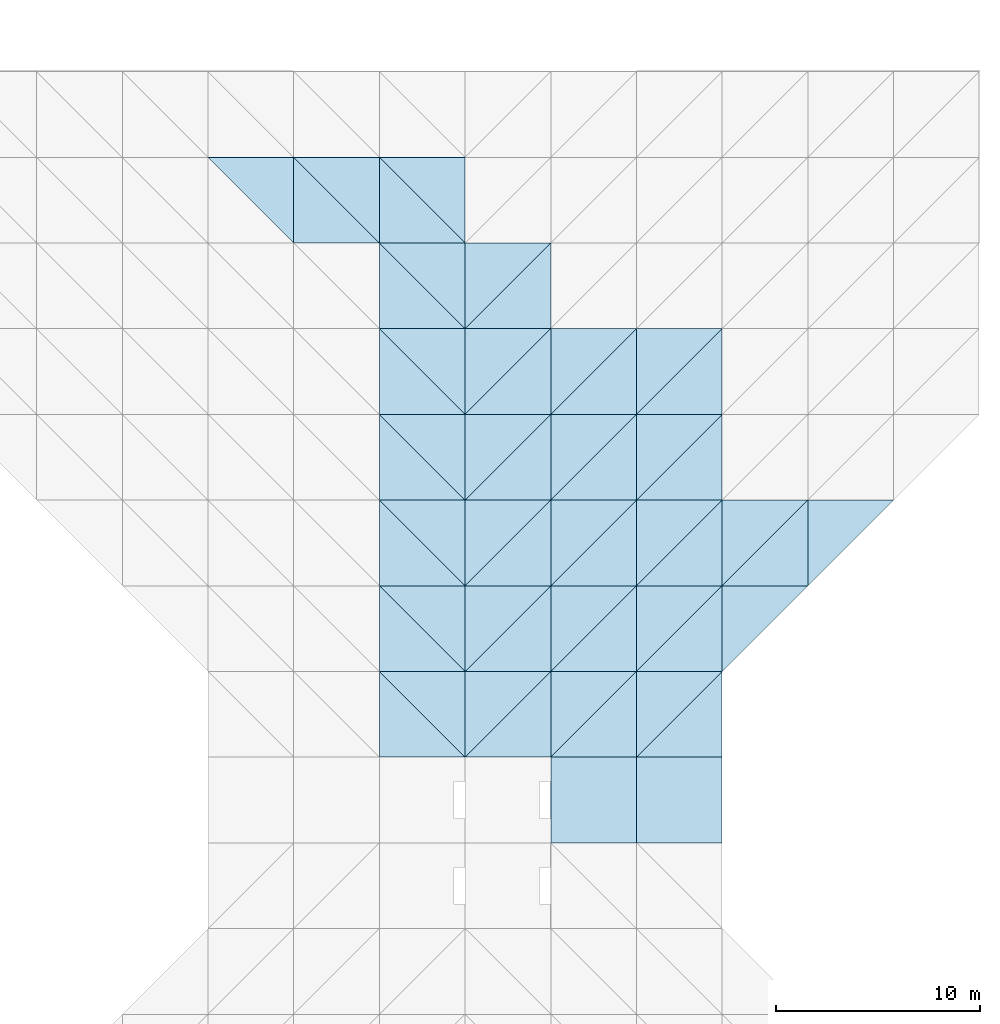
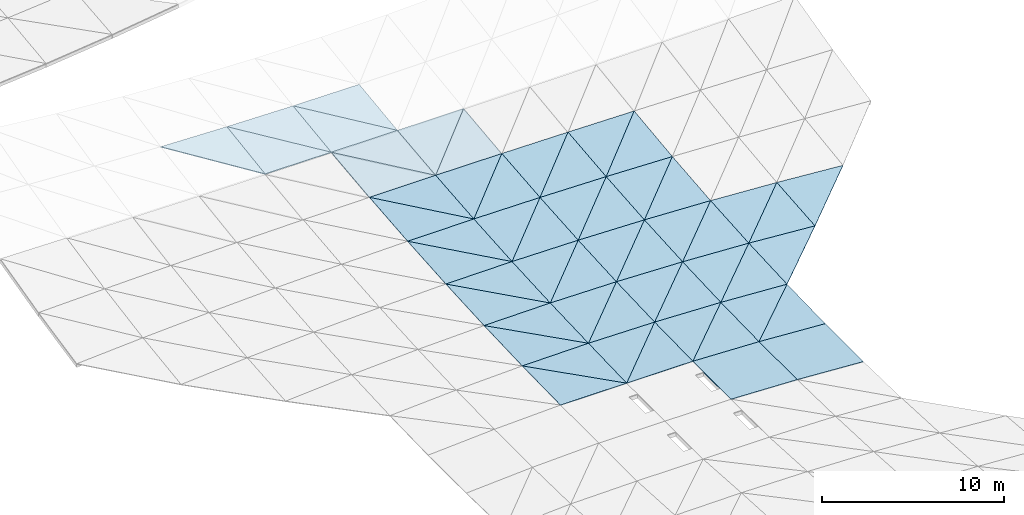
# One storey, part 48 of 64: 55 roofs.
"""IFC4 building model written with IfcOpenShell, lengths in metres."""

from ifc_helpers import new_model, si_unit, direction, frame, origin, place, context, subcontext, project, spatial, polyline, outline, extrude, material, layer, layer_set, type_object, element, save


model = new_model("IFC4")

# Units and contexts
model_context = context("Model", 3, precision=1e-05, world=origin(), true_north=direction((0.0, 1.0)))
body_context = subcontext(model_context, "Body", "Model", "MODEL_VIEW")
ifc_project = project(units=[si_unit("LENGTHUNIT", "METRE"), si_unit("AREAUNIT", "SQUARE_METRE"), si_unit("VOLUMEUNIT", "CUBIC_METRE"), si_unit("PLANEANGLEUNIT", "RADIAN"), si_unit("MASSUNIT", "GRAM", prefix="KILO")], contexts=[model_context])

# Site, building, storey
site_placement = place(None, origin())
site = spatial("IfcSite", under=ifc_project, at=site_placement, CompositionType="ELEMENT")
building_placement = place(site_placement, origin())
building = spatial("IfcBuilding", under=site, at=building_placement, Name="Cumbredor Promenade Congress Hotel", CompositionType="ELEMENT")
storey_placement = place(building_placement, frame((0.0, 0.0, 18.47998046875)))
storey = spatial("IfcBuildingStorey", under=building, at=storey_placement, Name="L05", CompositionType="ELEMENT", Elevation=18.47998046875)

# Roofs
ifc_material = material(Name="Standing-seam zinc-aluminium roofing", Category="aluminium")
ifc_layer = layer(ifc_material, 0.050048828125, Name="Standing-seam zinc-aluminium roofing", Category="aluminium")
ifc_layer_set = layer_set([ifc_layer], Name="Standing-seam zinc-aluminium roofing")
roof_type = type_object("IfcRoofType", Name="Sweeping Pavilion Standing-Seam Roof Skin 50mm", PredefinedType="FREEFORM", material=ifc_layer_set)
roof_1_placement = place(storey_placement, frame((155.39990234375, 63.0, 1.93017578125), z_axis=(0.029487727326, -0.146001612881, 0.988844782043), x_axis=(0.0, 0.989274975767, 0.14606513041)))
element("IfcRoof", 1, at=roof_1_placement, inside=storey, type_object=roof_type, Name="Grand Ballroom Pavilion Standing-Seam Roof Skin 4.16.2", PredefinedType="FREEFORM", context=body_context, shape_type="SweptSolid", body=[
    extrude(outline(polyline([(0.0, 0.0), (4.245484091639857, 0.0), (4.2637778933733665, 4.201778347047023), (0.0, 0.0)])), origin(), (0.0, 0.0, -1.0), 0.050048828125),
])
roof_2_placement = place(storey_placement, frame((155.39990234375, 63.0, 1.93017578125), z_axis=(0.004025150391, -0.146063947144, 0.989266961699), x_axis=(0.99999172245, 0.0, -0.004068787524)))
element("IfcRoof", 2, at=roof_2_placement, inside=storey, type_object=roof_type, Name="Grand Ballroom Pavilion Standing-Seam Roof Skin 5.16.1", PredefinedType="FREEFORM", context=body_context, shape_type="SweptSolid", body=[
    extrude(outline(polyline([(0.0, 0.0), (4.200230080115418, 0.0), (-0.002523125076227548, 4.245483341883107), (0.0, 0.0)])), origin(), (0.0, 0.0, -1.0), 0.050048828125),
])
roof_3_placement = place(storey_placement, frame((159.60009765625, 63.0, 1.9130859375), z_axis=(0.017741856006, -0.132610800752, 0.99100938546), x_axis=(0.0, 0.991165394015, 0.13263167686)))
element("IfcRoof", 3, at=roof_3_placement, inside=storey, type_object=roof_type, Name="Grand Ballroom Pavilion Standing-Seam Roof Skin 5.16.2", PredefinedType="FREEFORM", context=body_context, shape_type="SweptSolid", body=[
    extrude(outline(polyline([(0.0, 0.0), (4.237386814788865, 0.0), (4.247360095177753, 4.200856523596972), (0.0, 0.0)])), origin(), (0.0, 0.0, -1.0), 0.050048828125),
])
roof_4_placement = place(storey_placement, frame((159.60009765625, 37.800048828125, 0.227294921875), z_axis=(0.0, -0.019121074856, 0.999817175536), x_axis=(1.0, 0.0, 0.0)))
element("IfcRoof", 4, at=roof_4_placement, inside=storey, type_object=roof_type, Name="Grand Ballroom Pavilion Standing-Seam Roof Skin 6.10.1", PredefinedType="FREEFORM", context=body_context, shape_type="SweptSolid", body=[
    extrude(outline(polyline([(0.0, 0.0), (4.199951171875, 0.0), (0.0, 4.200719166105885), (0.0, 0.0)])), origin(), (0.0, 0.0, -1.0), 0.050048828125),
])
roof_5_placement = place(storey_placement, frame((163.800048828125, 37.800048828125, 0.227294921875), z_axis=(-0.011793808563, -0.030907912096, 0.999452653731), x_axis=(0.0, 0.999522169877, 0.030910061871)))
element("IfcRoof", 5, at=roof_5_placement, inside=storey, type_object=roof_type, Name="Grand Ballroom Pavilion Standing-Seam Roof Skin 6.10.2", PredefinedType="FREEFORM", context=body_context, shape_type="SweptSolid", body=[
    extrude(outline(polyline([(0.0, 0.0), (4.201958994459262, 0.0), (4.200427074888974, 4.20024329618692), (0.0, 0.0)])), origin(), (0.0, 0.0, -1.0), 0.050048828125),
])
roof_6_placement = place(storey_placement, frame((159.60009765625, 42.0, 0.3076171875), z_axis=(-0.011790851445, -0.038160538913, 0.999202056189), x_axis=(0.999930384115, 0.0, 0.011799445909)))
element("IfcRoof", 6, at=roof_6_placement, inside=storey, type_object=roof_type, Name="Grand Ballroom Pavilion Standing-Seam Roof Skin 6.11.1", PredefinedType="FREEFORM", context=body_context, shape_type="SweptSolid", body=[
    extrude(outline(polyline([(0.0, 0.0), (4.200243575549011, 0.0), (0.0018926357329883058, 4.203012556414365), (0.0, 0.0)])), origin(), (0.0, 0.0, -1.0), 0.050048828125),
])
roof_7_placement = place(storey_placement, frame((163.800048828125, 42.0, 0.357177734375), z_axis=(-0.010513679113, -0.036885006832, 0.999264208717), x_axis=(0.0, 0.999319441354, 0.036887045589)))
element("IfcRoof", 7, at=roof_7_placement, inside=storey, type_object=roof_type, Name="Grand Ballroom Pavilion Standing-Seam Roof Skin 6.11.2", PredefinedType="FREEFORM", context=body_context, shape_type="SweptSolid", body=[
    extrude(outline(polyline([(0.0, 0.0), (4.202811431532914, 0.0), (4.20118141316096, 4.2001833170638845), (0.0, 0.0)])), origin(), (0.0, 0.0, -1.0), 0.050048828125),
])
roof_8_placement = place(storey_placement, frame((159.60009765625, 46.199951171875, 0.468017578125), z_axis=(-0.01050356696, -0.05727635685, 0.998303107291), x_axis=(0.999944654448, 0.0, 0.010520838369)))
element("IfcRoof", 8, at=roof_8_placement, inside=storey, type_object=roof_type, Name="Grand Ballroom Pavilion Standing-Seam Roof Skin 6.12.1", PredefinedType="FREEFORM", context=body_context, shape_type="SweptSolid", body=[
    extrude(outline(polyline([(0.0, 0.0), (4.2001836333548175, 4.336808689942018e-19), (0.0025351727221231443, 4.20685730875551), (0.0, 0.0)])), origin(), (0.0, 0.0, -1.0), 0.050048828125),
])
roof_9_placement = place(storey_placement, frame((163.800048828125, 46.199951171875, 0.51220703125), z_axis=(-0.008473622127, -0.055252659351, 0.998436448334), x_axis=(0.0, 0.998472295268, 0.055254643091)))
element("IfcRoof", 9, at=roof_9_placement, inside=storey, type_object=roof_type, Name="Grand Ballroom Pavilion Standing-Seam Roof Skin 6.12.2", PredefinedType="FREEFORM", context=body_context, shape_type="SweptSolid", body=[
    extrude(outline(polyline([(0.0, 0.0), (4.206377274343411, 4.336808689942018e-19), (4.204407748491045, 4.200101963013532), (0.0, 0.0)])), origin(), (0.0, 0.0, -1.0), 0.050048828125),
])
roof_10_placement = place(storey_placement, frame((159.60009765625, 50.39990234375, 0.708984375), z_axis=(-0.008461904975, -0.076210672945, 0.99705583068), x_axis=(0.999963988279, 0.0, 0.008486586194)))
element("IfcRoof", 10, at=roof_10_placement, inside=storey, type_object=roof_type, Name="Grand Ballroom Pavilion Standing-Seam Roof Skin 6.13.1", PredefinedType="FREEFORM", context=body_context, shape_type="SweptSolid", body=[
    extrude(outline(polyline([(0.0, 0.0), (4.200102424791831, -4.336808689942018e-19), (0.0027245754015140285, 4.212446211134045), (0.0, 0.0)])), origin(), (0.0, 0.0, -1.0), 0.050048828125),
])
roof_11_placement = place(storey_placement, frame((163.800048828125, 50.39990234375, 0.74462890625), z_axis=(-0.005912980226, -0.0736760885, 0.997264694376), x_axis=(0.0, 0.997282128683, 0.073677376515)))
element("IfcRoof", 11, at=roof_11_placement, inside=storey, type_object=roof_type, Name="Grand Ballroom Pavilion Standing-Seam Roof Skin 6.13.2", PredefinedType="FREEFORM", context=body_context, shape_type="SweptSolid", body=[
    extrude(outline(polyline([(0.0, 0.0), (4.211642013527215, 0.0), (4.209807274170653, 4.20002459595059), (0.0, 0.0)])), origin(), (0.0, 0.0, -1.0), 0.050048828125),
])
roof_12_placement = place(storey_placement, frame((159.60009765625, 54.60009765625, 1.030029296875), z_axis=(-0.005902205085, -0.095129658429, 0.995447392916), x_axis=(0.999982422767, 0.0, 0.005929094177)))
element("IfcRoof", 12, at=roof_12_placement, inside=storey, type_object=roof_type, Name="Grand Ballroom Pavilion Standing-Seam Roof Skin 6.14.1", PredefinedType="FREEFORM", context=body_context, shape_type="SweptSolid", body=[
    extrude(outline(polyline([(0.0, 0.0), (4.200024996694476, -4.336808689942018e-19), (0.0023797438541346794, 4.21908518545846), (0.0, 0.0)])), origin(), (0.0, 0.0, -1.0), 0.050048828125),
])
roof_13_placement = place(storey_placement, frame((163.800048828125, 54.60009765625, 1.054931640625), z_axis=(-0.002604753796, -0.091860983861, 0.995768434377), x_axis=(0.0, 0.99577181241, 0.091861295489)))
element("IfcRoof", 13, at=roof_13_placement, inside=storey, type_object=roof_type, Name="Grand Ballroom Pavilion Standing-Seam Roof Skin 6.14.2", PredefinedType="FREEFORM", context=body_context, shape_type="SweptSolid", body=[
    extrude(outline(polyline([(0.0, 0.0), (4.2177847570403, 0.0), (4.216775538706071, 4.1999654197407645), (0.0, 0.0)])), origin(), (0.0, 0.0, -1.0), 0.050048828125),
])
roof_14_placement = place(storey_placement, frame((159.60009765625, 58.800048828125, 1.431396484375), z_axis=(-0.002598778137, -0.113941983629, 0.993484006272), x_axis=(0.999996578753, 0.0, 0.002615813872)))
element("IfcRoof", 14, at=roof_14_placement, inside=storey, type_object=roof_type, Name="Grand Ballroom Pavilion Standing-Seam Roof Skin 6.15.1", PredefinedType="FREEFORM", context=body_context, shape_type="SweptSolid", body=[
    extrude(outline(polyline([(0.0, 0.0), (4.199965540994337, 0.0), (0.001260009953588853, 4.227483055881001), (0.0, 0.0)])), origin(), (0.0, 0.0, -1.0), 0.050048828125),
])
roof_15_placement = place(storey_placement, frame((163.800048828125, 58.800048828125, 1.4423828125), z_axis=(0.001328852181, -0.110063626293, 0.993923655176), x_axis=(0.0, 0.993924532737, 0.110063723471)))
element("IfcRoof", 15, at=roof_15_placement, inside=storey, type_object=roof_type, Name="Grand Ballroom Pavilion Standing-Seam Roof Skin 6.15.2", PredefinedType="FREEFORM", context=body_context, shape_type="SweptSolid", body=[
    extrude(outline(polyline([(0.0, 0.0), (4.225623811005921, 1.0842021724855044e-19), (4.226241844609393, 4.199954880117849), (0.0, 0.0)])), origin(), (0.0, 0.0, -1.0), 0.050048828125),
])
roof_16_placement = place(storey_placement, frame((159.60009765625, 63.0, 1.9130859375), z_axis=(0.001325163288, -0.132631560406, 0.991164523743), x_axis=(0.999999106249, 0.0, -0.001336974914)))
element("IfcRoof", 16, at=roof_16_placement, inside=storey, type_object=roof_type, Name="Grand Ballroom Pavilion Standing-Seam Roof Skin 6.16.1", PredefinedType="FREEFORM", context=body_context, shape_type="SweptSolid", body=[
    extrude(outline(polyline([(0.0, 0.0), (4.199954925590426, -2.168404344971009e-19), (-0.0007513955692832083, 4.23738674816817), (0.0, 0.0)])), origin(), (0.0, 0.0, -1.0), 0.050048828125),
])
roof_17_placement = place(storey_placement, frame((163.800048828125, 63.0, 1.907470703125), z_axis=(0.005937895527, -0.128097124871, 0.991743852008), x_axis=(0.0, 0.991761336222, 0.128099383194)))
element("IfcRoof", 17, at=roof_17_placement, inside=storey, type_object=roof_type, Name="Grand Ballroom Pavilion Standing-Seam Roof Skin 6.16.2", PredefinedType="FREEFORM", context=body_context, shape_type="SweptSolid", body=[
    extrude(outline(polyline([(0.0, 0.0), (4.2348405997285665, -8.673617379884035e-19), (4.238061848866501, 4.200025216039137), (0.0, 0.0)])), origin(), (0.0, 0.0, -1.0), 0.050048828125),
])
roof_18_placement = place(storey_placement, frame((163.800048828125, 37.800048828125, 0.227294921875), z_axis=(0.0, -0.019121074856, 0.999817175536), x_axis=(1.0, 0.0, 0.0)))
element("IfcRoof", 18, at=roof_18_placement, inside=storey, type_object=roof_type, Name="Grand Ballroom Pavilion Standing-Seam Roof Skin 7.10.1", PredefinedType="FREEFORM", context=body_context, shape_type="SweptSolid", body=[
    extrude(outline(polyline([(0.0, 0.0), (4.199951171875, 0.0), (4.199951171875, 4.200719166105885), (0.0, 0.0)])), origin(), (0.0, 0.0, -1.0), 0.050048828125),
])
roof_19_placement = place(storey_placement, frame((163.800048828125, 37.800048828125, 0.227294921875), z_axis=(0.011793808563, -0.030907912096, 0.999452653731), x_axis=(0.707042134113, 0.707042134113, 0.013521877703)))
element("IfcRoof", 19, at=roof_19_placement, inside=storey, type_object=roof_type, Name="Grand Ballroom Pavilion Standing-Seam Roof Skin 7.10.2", PredefinedType="FREEFORM", context=body_context, shape_type="SweptSolid", body=[
    extrude(outline(polyline([(0.0, 0.0), (5.940170987322125, 1.5439038936193583e-16), (2.9712986992410975, 2.971168697836806), (0.0, 0.0)])), origin(), (0.0, 0.0, -1.0), 0.050048828125),
])
roof_20_placement = place(storey_placement, frame((163.800048828125, 42.0, 0.357177734375), z_axis=(0.011790851445, -0.038160538913, 0.999202056189), x_axis=(0.999930384115, 0.0, -0.011799445909)))
element("IfcRoof", 20, at=roof_20_placement, inside=storey, type_object=roof_type, Name="Grand Ballroom Pavilion Standing-Seam Roof Skin 7.11.1", PredefinedType="FREEFORM", context=body_context, shape_type="SweptSolid", body=[
    extrude(outline(polyline([(0.0, 0.0), (4.200243575549011, 0.0), (4.198350939816022, 4.203012556414365), (0.0, 0.0)])), origin(), (0.0, 0.0, -1.0), 0.050048828125),
])
roof_21_placement = place(storey_placement, frame((163.800048828125, 42.0, 0.357177734375), z_axis=(0.010513679113, -0.036885006832, 0.999264208717), x_axis=(0.70698369341, 0.70698369341, 0.018657826938)))
element("IfcRoof", 21, at=roof_21_placement, inside=storey, type_object=roof_type, Name="Grand Ballroom Pavilion Standing-Seam Roof Skin 7.11.2", PredefinedType="FREEFORM", context=body_context, shape_type="SweptSolid", body=[
    extrude(outline(polyline([(0.0, 0.0), (5.9406620138862385, 3.9898639947466563e-16), (2.972189501423234, 2.971483383203287), (0.0, 0.0)])), origin(), (0.0, 0.0, -1.0), 0.050048828125),
])
roof_22_placement = place(storey_placement, frame((163.800048828125, 46.199951171875, 0.51220703125), z_axis=(0.01050356696, -0.05727635685, 0.998303107291), x_axis=(0.999944654448, 0.0, -0.010520838369)))
element("IfcRoof", 22, at=roof_22_placement, inside=storey, type_object=roof_type, Name="Grand Ballroom Pavilion Standing-Seam Roof Skin 7.12.1", PredefinedType="FREEFORM", context=body_context, shape_type="SweptSolid", body=[
    extrude(outline(polyline([(0.0, 0.0), (4.2001836333548175, -4.336808689942018e-19), (4.197648460632694, 4.2068573087555095), (0.0, 0.0)])), origin(), (0.0, 0.0, -1.0), 0.050048828125),
])
roof_23_placement = place(storey_placement, frame((163.800048828125, 46.199951171875, 0.51220703125), z_axis=(0.008473622127, -0.055252659351, 0.998436448334), x_axis=(0.706719051196, 0.706719051196, 0.0331114082)))
element("IfcRoof", 23, at=roof_23_placement, inside=storey, type_object=roof_type, Name="Grand Ballroom Pavilion Standing-Seam Roof Skin 7.12.2", PredefinedType="FREEFORM", context=body_context, shape_type="SweptSolid", body=[
    extrude(outline(polyline([(0.0, 0.0), (5.94288658946826, -1.7867651802561113e-16), (2.9758813228351513, 2.972833686319101), (0.0, 0.0)])), origin(), (0.0, 0.0, -1.0), 0.050048828125),
])
roof_24_placement = place(storey_placement, frame((163.800048828125, 50.39990234375, 0.74462890625), z_axis=(0.008461904975, -0.076210672945, 0.99705583068), x_axis=(0.999963988279, 0.0, -0.008486586194)))
element("IfcRoof", 24, at=roof_24_placement, inside=storey, type_object=roof_type, Name="Grand Ballroom Pavilion Standing-Seam Roof Skin 7.13.1", PredefinedType="FREEFORM", context=body_context, shape_type="SweptSolid", body=[
    extrude(outline(polyline([(0.0, 0.0), (4.200102424791831, 4.336808689942018e-19), (4.1973778493903176, 4.212446211134045), (0.0, 0.0)])), origin(), (0.0, 0.0, -1.0), 0.050048828125),
])
roof_25_placement = place(storey_placement, frame((163.800048828125, 50.39990234375, 0.74462890625), z_axis=(0.005912980226, -0.0736760885, 0.997264694376), x_axis=(0.706271419185, 0.706312474316, 0.047993448179)))
element("IfcRoof", 25, at=roof_25_placement, inside=storey, type_object=roof_type, Name="Grand Ballroom Pavilion Standing-Seam Roof Skin 7.13.2", PredefinedType="FREEFORM", context=body_context, shape_type="SweptSolid", body=[
    extrude(outline(polyline([(0.0, 0.0), (5.946653167307646, 5.898059818321144e-16), (2.981542841984338, 2.9746143836671557), (0.0, 0.0)])), origin(), (0.0, 0.0, -1.0), 0.050048828125),
])
roof_26_placement = place(storey_placement, frame((163.800048828125, 54.60009765625, 1.054931640625), z_axis=(0.005902205085, -0.095129658429, 0.995447392916), x_axis=(0.999982422767, 0.0, -0.005929094177)))
element("IfcRoof", 26, at=roof_26_placement, inside=storey, type_object=roof_type, Name="Grand Ballroom Pavilion Standing-Seam Roof Skin 7.14.1", PredefinedType="FREEFORM", context=body_context, shape_type="SweptSolid", body=[
    extrude(outline(polyline([(0.0, 0.0), (4.200024996694476, 4.336808689942018e-19), (4.197645252840341, 4.219085185458459), (0.0, 0.0)])), origin(), (0.0, 0.0, -1.0), 0.050048828125),
])
roof_27_placement = place(storey_placement, frame((163.800048828125, 54.60009765625, 1.054931640625), z_axis=(0.002604753796, -0.091860983861, 0.995768434377), x_axis=(0.705690728944, 0.705690728944, 0.063254961578)))
element("IfcRoof", 27, at=roof_27_placement, inside=storey, type_object=roof_type, Name="Grand Ballroom Pavilion Standing-Seam Roof Skin 7.14.2", PredefinedType="FREEFORM", context=body_context, shape_type="SweptSolid", body=[
    extrude(outline(polyline([(0.0, 0.0), (5.95154647724842, -9.020562075079397e-17), (2.988374813001143, 2.976461697005671), (0.0, 0.0)])), origin(), (0.0, 0.0, -1.0), 0.050048828125),
])
roof_28_placement = place(storey_placement, frame((163.800048828125, 58.800048828125, 1.4423828125), z_axis=(0.002598778137, -0.113941983629, 0.993484006272), x_axis=(0.999996578753, 0.0, -0.002615813872)))
element("IfcRoof", 28, at=roof_28_placement, inside=storey, type_object=roof_type, Name="Grand Ballroom Pavilion Standing-Seam Roof Skin 7.15.1", PredefinedType="FREEFORM", context=body_context, shape_type="SweptSolid", body=[
    extrude(outline(polyline([(0.0, 0.0), (4.199965540994337, 0.0), (4.198705531040748, 4.227483055881), (0.0, 0.0)])), origin(), (0.0, 0.0, -1.0), 0.050048828125),
])
roof_29_placement = place(storey_placement, frame((163.800048828125, 58.800048828125, 1.4423828125), z_axis=(-0.001328852181, -0.110063626293, 0.993923655176), x_axis=(0.704896787905, 0.704896787905, 0.079000232929)))
element("IfcRoof", 29, at=roof_29_placement, inside=storey, type_object=roof_type, Name="Grand Ballroom Pavilion Standing-Seam Roof Skin 7.15.2", PredefinedType="FREEFORM", context=body_context, shape_type="SweptSolid", body=[
    extrude(outline(polyline([(0.0, 0.0), (5.958249837339245, 4.0939474033052647e-16), (2.9972741421037905, 2.9786312811786875), (0.0, 0.0)])), origin(), (0.0, 0.0, -1.0), 0.050048828125),
])
roof_30_placement = place(storey_placement, frame((168.0, 33.60009765625, 0.227294921875), z_axis=(0.037409127573, 0.0, 0.999300033611), x_axis=(0.999300033611, 0.0, -0.037409127573)))
element("IfcRoof", 30, at=roof_30_placement, inside=storey, type_object=roof_type, Name="Grand Ballroom Pavilion Standing-Seam Roof Skin 8.9", PredefinedType="FREEFORM", context=body_context, shape_type="SweptSolid", body=[
    extrude(outline(polyline([(0.0, 0.0), (4.202893055752163, 0.0), (4.202893055752163, 4.199951171875), (0.0, 4.199951171875), (0.0, 0.0)])), origin(), (0.0, 0.0, -1.0), 0.050048828125),
])
roof_31_placement = place(storey_placement, frame((168.0, 37.800048828125, 0.227294921875), z_axis=(0.037400859503, -0.021023464503, 0.999079170861), x_axis=(0.999300033611, 0.0, -0.037409127573)))
element("IfcRoof", 31, at=roof_31_placement, inside=storey, type_object=roof_type, Name="Grand Ballroom Pavilion Standing-Seam Roof Skin 8.10.1", PredefinedType="FREEFORM", context=body_context, shape_type="SweptSolid", body=[
    extrude(outline(polyline([(0.0, 0.0), (4.202893055752163, -4.336808689942018e-19), (4.199586877973459, 4.200879639598429), (0.0, 0.0)])), origin(), (0.0, 0.0, -1.0), 0.050048828125),
])
roof_32_placement = place(storey_placement, frame((168.0, 37.800048828125, 0.227294921875), z_axis=(0.035488199323, -0.019109030404, 0.999187386162), x_axis=(0.70705928365, 0.70705928365, -0.011590462012)))
element("IfcRoof", 32, at=roof_32_placement, inside=storey, type_object=roof_type, Name="Grand Ballroom Pavilion Standing-Seam Roof Skin 8.10.2", PredefinedType="FREEFORM", context=body_context, shape_type="SweptSolid", body=[
    extrude(outline(polyline([(0.0, 0.0), (5.940026910043379, -9.80118763926896e-17), (2.9686834947810765, 2.9720295793117093), (0.0, 0.0)])), origin(), (0.0, 0.0, -1.0), 0.050048828125),
])
roof_33_placement = place(storey_placement, frame((168.0, 42.0, 0.3076171875), z_axis=(0.035463154238, -0.042137888668, 0.998482229702), x_axis=(0.999369865295, 0.0, -0.035494680445)))
element("IfcRoof", 33, at=roof_33_placement, inside=storey, type_object=roof_type, Name="Grand Ballroom Pavilion Standing-Seam Roof Skin 8.11.1", PredefinedType="FREEFORM", context=body_context, shape_type="SweptSolid", body=[
    extrude(outline(polyline([(0.0, 0.0), (4.202599375592014, 0.0), (4.196308082134233, 4.203684864914406), (0.0, 0.0)])), origin(), (0.0, 0.0, -1.0), 0.050048828125),
])
roof_34_placement = place(storey_placement, frame((168.0, 42.0, 0.3076171875), z_axis=(0.031467589737, -0.038144292356, 0.99877665359), x_axis=(0.707098881588, 0.707098881588, 0.004726871556)))
element("IfcRoof", 34, at=roof_34_placement, inside=storey, type_object=roof_type, Name="Grand Ballroom Pavilion Standing-Seam Roof Skin 8.11.2", PredefinedType="FREEFORM", context=body_context, shape_type="SweptSolid", body=[
    extrude(outline(polyline([(0.0, 0.0), (5.939694265170181, -4.369334755116583e-16), (2.9705389684000285, 2.9734182969544896), (0.0, 0.0)])), origin(), (0.0, 0.0, -1.0), 0.050048828125),
])
roof_35_placement = place(storey_placement, frame((168.0, 46.199951171875, 0.468017578125), z_axis=(0.031427778123, -0.063087495568, 0.997513038845), x_axis=(0.999504050995, 0.0, -0.031490507216)))
element("IfcRoof", 35, at=roof_35_placement, inside=storey, type_object=roof_type, Name="Grand Ballroom Pavilion Standing-Seam Roof Skin 8.12.1", PredefinedType="FREEFORM", context=body_context, shape_type="SweptSolid", body=[
    extrude(outline(polyline([(0.0, 0.0), (4.202035167035372, 0.0), (4.193670501056085, 4.208334173889027), (0.0, 0.0)])), origin(), (0.0, 0.0, -1.0), 0.050048828125),
])
roof_36_placement = place(storey_placement, frame((168.0, 46.199951171875, 0.468017578125), z_axis=(0.02558459792, -0.057260766774, 0.998031378734), x_axis=(0.706928773851, 0.706928773851, 0.022436965095)))
element("IfcRoof", 36, at=roof_36_placement, inside=storey, type_object=roof_type, Name="Grand Ballroom Pavilion Standing-Seam Roof Skin 8.12.2", PredefinedType="FREEFORM", context=body_context, shape_type="SweptSolid", body=[
    extrude(outline(polyline([(0.0, 0.0), (5.941123529312468, -9.454242944073599e-17), (2.9744728957786846, 2.9749228285130944), (0.0, 0.0)])), origin(), (0.0, 0.0, -1.0), 0.050048828125),
])
roof_37_placement = place(storey_placement, frame((168.0, 50.39990234375, 0.708984375), z_axis=(0.02553591702, -0.084072553985, 0.99613238207), x_axis=(0.999671583613, 0.0, -0.025626644677)))
element("IfcRoof", 37, at=roof_37_placement, inside=storey, type_object=roof_type, Name="Grand Ballroom Pavilion Standing-Seam Roof Skin 8.13.1", PredefinedType="FREEFORM", context=body_context, shape_type="SweptSolid", body=[
    extrude(outline(polyline([(0.0, 0.0), (4.201330957810245, 1.734723475976807e-18), (4.192246512480518, 4.215118366902471), (0.0, 0.0)])), origin(), (0.0, 0.0, -1.0), 0.050048828125),
])
roof_38_placement = place(storey_placement, frame((168.0, 50.39990234375, 0.708984375), z_axis=(0.017617205301, -0.076201573641, 0.996936785484), x_axis=(0.706476525605, 0.706517592658, 0.041518791338)))
element("IfcRoof", 38, at=roof_38_placement, inside=storey, type_object=roof_type, Name="Grand Ballroom Pavilion Standing-Seam Roof Skin 8.13.2", PredefinedType="FREEFORM", context=body_context, shape_type="SweptSolid", body=[
    extrude(outline(polyline([(0.0, 0.0), (5.944926716823651, 5.412337245047638e-16), (2.9808412780034206, 2.9764569172691946), (0.0, 0.0)])), origin(), (0.0, 0.0, -1.0), 0.050048828125),
])
roof_39_placement = place(storey_placement, frame((168.0, 54.60009765625, 1.030029296875), z_axis=(0.017571191108, -0.104849146938, 0.994332896785), x_axis=(0.999843898494, 0.0, -0.017668577873)))
element("IfcRoof", 39, at=roof_39_placement, inside=storey, type_object=roof_type, Name="Grand Ballroom Pavilion Standing-Seam Roof Skin 8.14.1", PredefinedType="FREEFORM", context=body_context, shape_type="SweptSolid", body=[
    extrude(outline(polyline([(0.0, 0.0), (4.200606892936514, 1.734723475976807e-18), (4.192781990529071, 4.223229027973242), (0.0, 0.0)])), origin(), (0.0, 0.0, -1.0), 0.050048828125),
])
roof_40_placement = place(storey_placement, frame((168.0, 54.60009765625, 1.030029296875), z_axis=(0.007753779236, -0.0951284557, 0.99543480742), x_axis=(0.705748724258, 0.705748724258, 0.061947368112)))
element("IfcRoof", 40, at=roof_40_placement, inside=storey, type_object=roof_type, Name="Grand Ballroom Pavilion Standing-Seam Roof Skin 8.14.2", PredefinedType="FREEFORM", context=body_context, shape_type="SweptSolid", body=[
    extrude(outline(polyline([(0.0, 0.0), (5.951057405438192, -5.898059818321144e-17), (2.9889738224094082, 2.9777039735821855), (0.0, 0.0)])), origin(), (0.0, 0.0, -1.0), 0.050048828125),
])
roof_41_placement = place(storey_placement, frame((172.199951171875, 33.60009765625, 0.070068359375), z_axis=(0.062309659554, 0.0, 0.998056865277), x_axis=(0.998056865277, 0.0, -0.062309659554)))
element("IfcRoof", 41, at=roof_41_placement, inside=storey, type_object=roof_type, Name="Grand Ballroom Pavilion Standing-Seam Roof Skin 9.9", PredefinedType="FREEFORM", context=body_context, shape_type="SweptSolid", body=[
    extrude(outline(polyline([(0.0, 0.0), (4.208128131767274, 0.0), (4.208128131767274, 4.199951171875), (0.0, 4.199951171875), (0.0, 0.0)])), origin(), (0.0, 0.0, -1.0), 0.050048828125),
])
roof_42_placement = place(storey_placement, frame((172.199951171875, 37.800048828125, 0.070068359375), z_axis=(0.062291257631, -0.024301710379, 0.99776210897), x_axis=(0.998056865277, 0.0, -0.062309659554)))
element("IfcRoof", 42, at=roof_42_placement, inside=storey, type_object=roof_type, Name="Grand Ballroom Pavilion Standing-Seam Roof Skin 9.10.1", PredefinedType="FREEFORM", context=body_context, shape_type="SweptSolid", body=[
    extrude(outline(polyline([(0.0, 0.0), (4.208128131767274, 0.0), (4.2017541700111405, 4.201191910611455), (0.0, 0.0)])), origin(), (0.0, 0.0, -1.0), 0.050048828125),
])
roof_43_placement = place(storey_placement, frame((172.199951171875, 37.800048828125, 0.070068359375), z_axis=(0.059001544964, -0.021001533212, 0.998036949864), x_axis=(0.706850649556, 0.706850649556, -0.026913164882)))
element("IfcRoof", 43, at=roof_43_placement, inside=storey, type_object=roof_type, Name="Grand Ballroom Pavilion Standing-Seam Roof Skin 9.10.2", PredefinedType="FREEFORM", context=body_context, shape_type="SweptSolid", body=[
    extrude(outline(polyline([(0.0, 0.0), (5.941780168854544, -1.0061396160665481e-16), (2.966359657868212, 2.9745774586277145), (0.0, 0.0)])), origin(), (0.0, 0.0, -1.0), 0.050048828125),
])
roof_44_placement = place(storey_placement, frame((172.199951171875, 42.0, 0.158447265625), z_axis=(0.058944578235, -0.048685787332, 0.997073332714), x_axis=(0.998257121983, 0.0, -0.05901456101)))
element("IfcRoof", 44, at=roof_44_placement, inside=storey, type_object=roof_type, Name="Grand Ballroom Pavilion Standing-Seam Roof Skin 9.11.1", PredefinedType="FREEFORM", context=body_context, shape_type="SweptSolid", body=[
    extrude(outline(polyline([(0.0, 0.0), (4.20728395459283, 0.0), (4.195181359073187, 4.204937622684717), (0.0, 0.0)])), origin(), (0.0, 0.0, -1.0), 0.050048828125),
])
roof_45_placement = place(storey_placement, frame((172.199951171875, 42.0, 0.158447265625), z_axis=(0.052372191237, -0.042106545778, 0.997739541357), x_axis=(0.707088068079, 0.707088068079, -0.007275160614)))
element("IfcRoof", 45, at=roof_45_placement, inside=storey, type_object=roof_type, Name="Grand Ballroom Pavilion Standing-Seam Roof Skin 9.11.2", PredefinedType="FREEFORM", context=body_context, shape_type="SweptSolid", body=[
    extrude(outline(polyline([(0.0, 0.0), (5.93978510101035, 2.40692882291782e-16), (2.9684458663449096, 2.976463532863058), (0.0, 0.0)])), origin(), (0.0, 0.0, -1.0), 0.050048828125),
])
roof_46_placement = place(storey_placement, frame((172.199951171875, 46.199951171875, 0.335693359375), z_axis=(0.052279466529, -0.072832302208, 0.995973048398), x_axis=(0.998625195951, 0.0, -0.052418679994)))
element("IfcRoof", 46, at=roof_46_placement, inside=storey, type_object=roof_type, Name="Grand Ballroom Pavilion Standing-Seam Roof Skin 9.12.1", PredefinedType="FREEFORM", context=body_context, shape_type="SweptSolid", body=[
    extrude(outline(polyline([(0.0, 0.0), (4.2057332309510365, 0.0), (4.18963393909729, 4.211135099232784), (0.0, 0.0)])), origin(), (0.0, 0.0, -1.0), 0.050048828125),
])
roof_47_placement = place(storey_placement, frame((172.199951171875, 46.199951171875, 0.335693359375), z_axis=(0.042485490965, -0.063061683724, 0.997104912787), x_axis=(0.707031514293, 0.707031514293, 0.014590256791)))
element("IfcRoof", 47, at=roof_47_placement, inside=storey, type_object=roof_type, Name="Grand Ballroom Pavilion Standing-Seam Roof Skin 9.12.2", PredefinedType="FREEFORM", context=body_context, shape_type="SweptSolid", body=[
    extrude(outline(polyline([(0.0, 0.0), (5.940260210430701, -1.8561541192951836e-16), (2.9733733739673336, 2.9781197534251884), (0.0, 0.0)])), origin(), (0.0, 0.0, -1.0), 0.050048828125),
])
roof_48_placement = place(storey_placement, frame((172.199951171875, 50.39990234375, 0.601318359375), z_axis=(0.042369527784, -0.096987633139, 0.994383337619), x_axis=(0.999093477233, 0.0, -0.042570221404)))
element("IfcRoof", 48, at=roof_48_placement, inside=storey, type_object=roof_type, Name="Grand Ballroom Pavilion Standing-Seam Roof Skin 9.13.1", PredefinedType="FREEFORM", context=body_context, shape_type="SweptSolid", body=[
    extrude(outline(polyline([(0.0, 0.0), (4.203761977814741, 0.0), (4.1863223216829555, 4.22009056373921), (0.0, 0.0)])), origin(), (0.0, 0.0, -1.0), 0.050048828125),
])
roof_49_placement = place(storey_placement, frame((172.199951171875, 50.39990234375, 0.601318359375), z_axis=(0.029354539952, -0.08406373672, 0.99602791083), x_axis=(0.706553445475, 0.706594517, 0.038812591174)))
element("IfcRoof", 49, at=roof_49_placement, inside=storey, type_object=roof_type, Name="Grand Ballroom Pavilion Standing-Seam Roof Skin 9.13.2", PredefinedType="FREEFORM", context=body_context, shape_type="SweptSolid", body=[
    extrude(outline(polyline([(0.0, 0.0), (5.944279514556975, 3.0531133177191805e-16), (2.9815937384885913, 2.9794972986648496), (0.0, 0.0)])), origin(), (0.0, 0.0, -1.0), 0.050048828125),
])
roof_50_placement = place(storey_placement, frame((172.199951171875, 54.60009765625, 0.955810546875), z_axis=(0.029242340256, -0.121006765005, 0.992220866722), x_axis=(0.999565994989, 0.0, -0.029458812966)))
element("IfcRoof", 50, at=roof_50_placement, inside=storey, type_object=roof_type, Name="Grand Ballroom Pavilion Standing-Seam Roof Skin 9.14.1", PredefinedType="FREEFORM", context=body_context, shape_type="SweptSolid", body=[
    extrude(outline(polyline([(0.0, 0.0), (4.201774763176752, 0.0), (4.186685752043128, 4.231042213301485), (0.0, 0.0)])), origin(), (0.0, 0.0, -1.0), 0.050048828125),
])
roof_51_placement = place(storey_placement, frame((172.199951171875, 54.60009765625, 0.955810546875), z_axis=(0.012890312655, -0.104856624021, 0.994403805422), x_axis=(0.705599595622, 0.705599595622, 0.065256580633)))
element("IfcRoof", 51, at=roof_51_placement, inside=storey, type_object=roof_type, Name="Grand Ballroom Pavilion Standing-Seam Roof Skin 9.14.2", PredefinedType="FREEFORM", context=body_context, shape_type="SweptSolid", body=[
    extrude(outline(polyline([(0.0, 0.0), (5.952315162783306, 1.249000902703301e-16), (2.9923841017468824, 2.9801614116396458), (0.0, 0.0)])), origin(), (0.0, 0.0, -1.0), 0.050048828125),
])
roof_52_placement = place(storey_placement, frame((176.39990234375, 42.0, -0.08984375), z_axis=(0.073302237468, -0.04863938288, 0.996122980568), x_axis=(0.707018958571, 0.706977862375, -0.01750697956)))
element("IfcRoof", 52, at=roof_52_placement, inside=storey, type_object=roof_type, Name="Grand Ballroom Pavilion Standing-Seam Roof Skin 10.11.2", PredefinedType="FREEFORM", context=body_context, shape_type="SweptSolid", body=[
    extrude(outline(polyline([(0.0, 0.0), (5.940711011469622, 4.354155924701786e-16), (2.965682203027972, 2.9810025082396123), (0.0, 0.0)])), origin(), (0.0, 0.0, -1.0), 0.050048828125),
])
roof_53_placement = place(storey_placement, frame((176.39990234375, 46.199951171875, 0.115234375), z_axis=(0.073114281561, -0.086460064677, 0.993568799353), x_axis=(0.997303384098, 0.0, -0.073389100457)))
element("IfcRoof", 53, at=roof_53_placement, inside=storey, type_object=roof_type, Name="Grand Ballroom Pavilion Standing-Seam Roof Skin 10.12.1", PredefinedType="FREEFORM", context=body_context, shape_type="SweptSolid", body=[
    extrude(outline(polyline([(0.0, 0.0), (4.211552251271328, 0.0), (4.184730111773116, 4.215737772247032), (0.0, 0.0)])), origin(), (0.0, 0.0, -1.0), 0.050048828125),
])
roof_54_placement = place(storey_placement, frame((176.39990234375, 46.199951171875, 0.115234375), z_axis=(0.059431209158, -0.072803122817, 0.99557402371), x_axis=(0.707095460922, 0.707054360279, 0.009494248516)))
element("IfcRoof", 54, at=roof_54_placement, inside=storey, type_object=roof_type, Name="Grand Ballroom Pavilion Standing-Seam Roof Skin 10.12.2", PredefinedType="FREEFORM", context=body_context, shape_type="SweptSolid", body=[
    extrude(outline(polyline([(0.0, 0.0), (5.940068271723064, 2.7755575615628914e-16), (2.972509747194337, 2.982968959614425), (0.0, 0.0)])), origin(), (0.0, 0.0, -1.0), 0.050048828125),
])
roof_55_placement = place(storey_placement, frame((180.60009765625, 46.199951171875, -0.19384765625), z_axis=(0.076276964271, -0.086439527263, 0.993332790583), x_axis=(0.70708827892, 0.70708827892, 0.007234060169)))
element("IfcRoof", 55, at=roof_55_placement, inside=storey, type_object=roof_type, Name="Grand Ballroom Pavilion Standing-Seam Roof Skin 11.12.2", PredefinedType="FREEFORM", context=body_context, shape_type="SweptSolid", body=[
    extrude(outline(polyline([(0.0, 0.0), (5.939783329865235, -3.642919299551295e-17), (2.972380139243736, 2.9896689949469364), (0.0, 0.0)])), origin(), (0.0, 0.0, -1.0), 0.050048828125),
])

save(model, "model.ifc")
